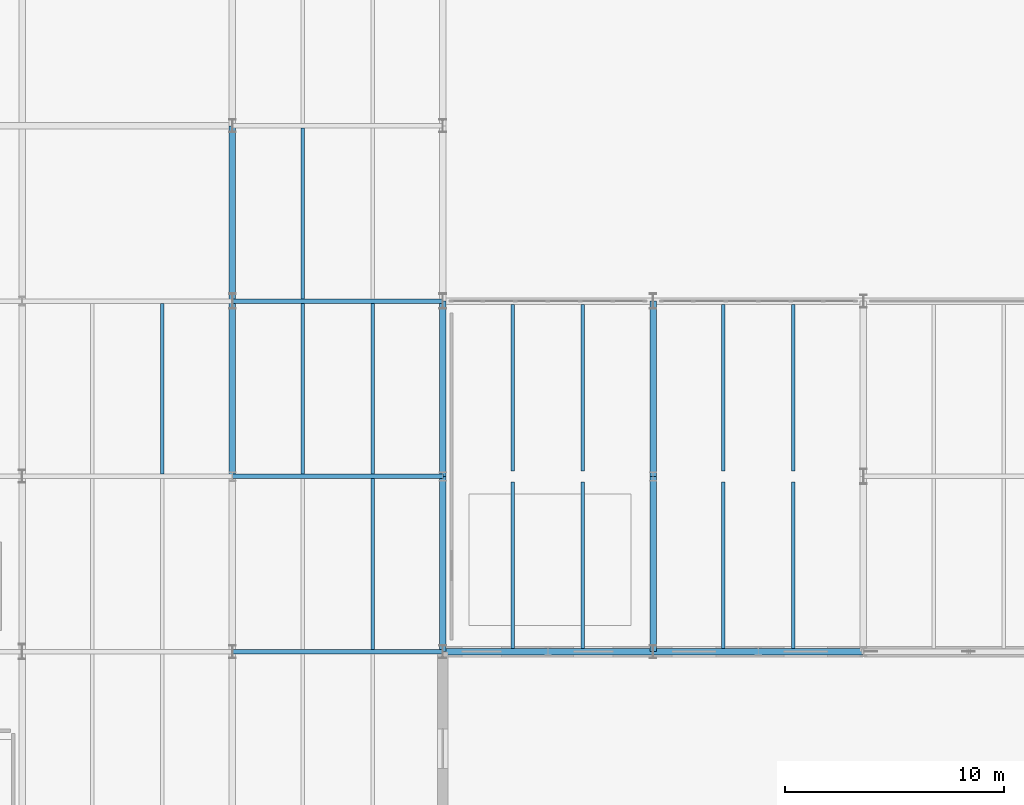
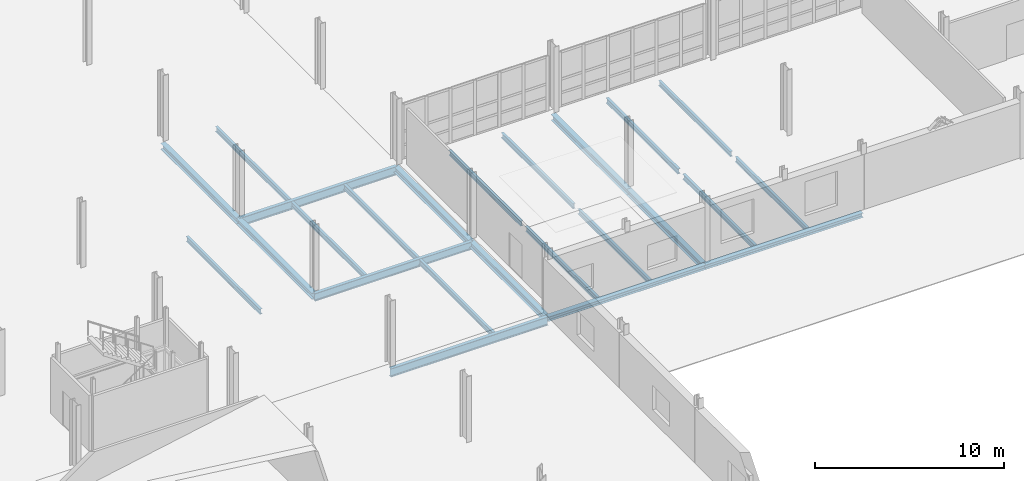
# One storey, part 32 of 78: 24 beams.
"""IFC4 building model written with IfcOpenShell, lengths in metres."""

import ifcopenshell
import ifcopenshell.guid

model = None  # the IFC model being written
_history = None  # IfcOwnerHistory: only IFC2X3 demands one
_inside = {}  # id of a spatial element -> (the spatial element, [elements in it])
_under = {}  # id of a project, library or spatial element -> (it, [spatial elements below it])
_declared = {}  # id of a project -> (the project, [libraries it declares])
_typed = {}  # id of a type object -> (the type object, [elements of that type])
_made_of = {}  # id of a material, layer set ... -> (it, [elements and type objects made of it])


def new_model(schema):
    """Start an empty IFC model of exactly this schema.

    Asked for "IFC4X3", IfcOpenShell would pick the latest addendum, in which some entities
    have other attributes; the version numbers below select the first issue.
    IFC2X3 requires an IfcOwnerHistory on every rooted entity: one is made here for all.
    """
    global model, _history
    if schema == "IFC4X3":
        model = ifcopenshell.file(schema_version=(4, 3, 0, 0))
    else:
        model = ifcopenshell.file(schema=schema)
    _inside.clear()
    _under.clear()
    _declared.clear()
    _typed.clear()
    _made_of.clear()
    _history = None
    if model.schema == "IFC2X3":
        org = make("IfcOrganization", Name="unknown")
        user = make(
            "IfcPersonAndOrganization",
            ThePerson=make("IfcPerson", FamilyName="unknown"),
            TheOrganization=org,
        )
        app = make(
            "IfcApplication",
            ApplicationDeveloper=org,
            Version="unknown",
            ApplicationFullName="unknown",
            ApplicationIdentifier="unknown",
        )
        _history = make(
            "IfcOwnerHistory",
            OwningUser=user,
            OwningApplication=app,
            ChangeAction="ADDED",
            CreationDate=0,
        )
    return model


def make(cls, **values):
    """One entity of the class cls with the attributes given. An attribute that is None is left unset."""
    return model.create_entity(
        cls, **{name: value for name, value in values.items() if value is not None}
    )


def rooted(cls, **values):
    """An entity with a GlobalId (a new one), such as an element, a storey or a relation."""
    return make(cls, GlobalId=ifcopenshell.guid.new(), OwnerHistory=_history, **values)


def si_unit(unit_type, name, prefix=None):
    """IfcSIUnit, for example si_unit("LENGTHUNIT", "METRE", prefix="MILLI")."""
    return make("IfcSIUnit", UnitType=unit_type, Prefix=prefix, Name=name)


def assignment(units):
    """IfcUnitAssignment: the units of a project."""
    return None if units is None else make("IfcUnitAssignment", Units=units)


def point(xyz):
    """IfcCartesianPoint."""
    return None if xyz is None else make("IfcCartesianPoint", Coordinates=xyz)


def direction(xyz):
    """IfcDirection."""
    return None if xyz is None else make("IfcDirection", DirectionRatios=xyz)


def frame(location, z_axis=None, x_axis=None):
    """IfcAxis2Placement3D, a coordinate frame: its origin and axes. An axis left out is left unset."""
    return make(
        "IfcAxis2Placement3D",
        Location=point(location),
        Axis=direction(z_axis),
        RefDirection=direction(x_axis),
    )


def frame_2d(location, x_axis=None):
    """IfcAxis2Placement2D, a coordinate frame in the plane: its origin and x axis."""
    return make(
        "IfcAxis2Placement2D", Location=point(location), RefDirection=direction(x_axis)
    )


def origin():
    """The frame at (0, 0, 0) with its axes left unset."""
    return frame((0.0, 0.0, 0.0))


def origin_2d():
    """The frame at (0, 0) in the plane with its x axis left unset."""
    return frame_2d((0.0, 0.0))


def place(relative_to, where):
    """IfcLocalPlacement: puts the frame where relative to a parent placement (None: the world)."""
    return make(
        "IfcLocalPlacement", PlacementRelTo=relative_to, RelativePlacement=where
    )


def context(
    kind, dimensions, precision=None, world=None, true_north=None, identifier=None
):
    """IfcGeometricRepresentationContext, for example the 3D "Model" context."""
    return make(
        "IfcGeometricRepresentationContext",
        ContextIdentifier=identifier,
        ContextType=kind,
        CoordinateSpaceDimension=dimensions,
        Precision=precision,
        WorldCoordinateSystem=world,
        TrueNorth=true_north,
    )


def subcontext(parent, identifier, kind, view, scale=None):
    """IfcGeometricRepresentationSubContext, for example "Body" below "Model"."""
    return make(
        "IfcGeometricRepresentationSubContext",
        ContextIdentifier=identifier,
        ContextType=kind,
        ParentContext=parent,
        TargetScale=scale,
        TargetView=view,
    )


def project(units=None, contexts=None):
    """IfcProject with its units and contexts."""
    return rooted(
        "IfcProject",
        Name="project",
        RepresentationContexts=contexts,
        UnitsInContext=assignment(units),
    )


def spatial(cls, under=None, at=None, **own):
    """A site, building, storey or space (cls), placed at a placement, below another one or the project."""
    s = rooted(cls, ObjectPlacement=at, **own)
    if under is not None:
        _under.setdefault(under.id(), (under, []))[1].append(s)
    return s


def profile(cls, at=None, kind="AREA", **sizes):
    """A parametric profile (cls). Its sizes go by their IFC names, for example OverallWidth=200.0."""
    return make(cls, ProfileType=kind, Position=at, **sizes)


def i_section(**sizes):
    """IfcIShapeProfileDef."""
    return profile("IfcIShapeProfileDef", **sizes)


def extrude(swept, where, along, depth):
    """IfcExtrudedAreaSolid: the profile swept, set in the frame where, extruded along a direction by depth."""
    return make(
        "IfcExtrudedAreaSolid",
        SweptArea=swept,
        Position=where,
        ExtrudedDirection=direction(along),
        Depth=depth,
    )


def shape(context_of_items, identifier, shape_type, items):
    """IfcShapeRepresentation: the items that make up one representation, for example the "Body"."""
    return make(
        "IfcShapeRepresentation",
        ContextOfItems=context_of_items,
        RepresentationIdentifier=identifier,
        RepresentationType=shape_type,
        Items=items,
    )


def material(Name=None, Category=None):
    """IfcMaterial."""
    return make("IfcMaterial", Name=Name, Category=Category)


def material_profile(
    of_material, cross_section, Name=None, Category=None, Priority=None
):
    """IfcMaterialProfile: a cross section and its material."""
    return make(
        "IfcMaterialProfile",
        Name=Name,
        Material=of_material,
        Profile=cross_section,
        Priority=Priority,
        Category=Category,
    )


def profile_set(profiles, Name=None, composite=None):
    """IfcMaterialProfileSet."""
    return make(
        "IfcMaterialProfileSet",
        Name=Name,
        MaterialProfiles=profiles,
        CompositeProfile=composite,
    )


def made_of(thing, what):
    """Note that an element or type object is made of a material, layer set ...; save() writes the relation."""
    if what is not None:
        _made_of.setdefault(what.id(), (what, []))[1].append(thing)
    return thing


def type_object(cls, material=None, **own):
    """A type object (cls), such as IfcWallType, which elements share."""
    return made_of(rooted(cls, **own), material)


def element(
    cls,
    number,
    at=None,
    inside=None,
    cuts=None,
    type_object=None,
    material=None,
    context=None,
    identifier="Body",
    shape_type=None,
    held_by="IfcProductDefinitionShape",
    body=None,
    shapes=None,
    **own,
):
    """One element of the class cls, such as IfcWall. Its Tag is "e" and its number.

    at: its placement. inside: the storey or other place that contains it. cuts: it is an
    opening in that element (IfcRelVoidsElement). A single representation is given by context,
    identifier, shape_type and body (its items); several are given by shapes. held_by: the class
    of the entity that holds the representations. save() writes the other relations.
    """
    e = rooted(cls, Tag="e%d" % number, ObjectPlacement=at, **own)
    if body is not None:
        shapes = [shape(context, identifier, shape_type, body)]
    if shapes is not None:
        e.Representation = make(held_by, Representations=shapes)
    if inside is not None:
        _inside.setdefault(inside.id(), (inside, []))[1].append(e)
    if cuts is not None:
        rooted(
            "IfcRelVoidsElement", RelatingBuildingElement=cuts, RelatedOpeningElement=e
        )
    if type_object is not None:
        _typed.setdefault(type_object.id(), (type_object, []))[1].append(e)
    return made_of(e, material)


def aggregate(whole, parts):
    """IfcRelAggregates: a whole, such as a stair, and the parts it consists of."""
    return rooted("IfcRelAggregates", RelatingObject=whole, RelatedObjects=parts)


def save(model, path):
    """Write the relations noted so far, then the file.

    IfcRelAggregates (storeys below a building ...), IfcRelContainedInSpatialStructure (elements
    in a storey), IfcRelDefinesByType, IfcRelAssociatesMaterial and IfcRelDeclares: one each for
    every whole, place, type object, material and project.
    """
    for whole, parts in _under.values():
        aggregate(whole, parts)
    for where, things in _inside.values():
        rooted(
            "IfcRelContainedInSpatialStructure",
            RelatedElements=things,
            RelatingStructure=where,
        )
    for kind, things in _typed.values():
        rooted("IfcRelDefinesByType", RelatedObjects=things, RelatingType=kind)
    for what, things in _made_of.values():
        rooted("IfcRelAssociatesMaterial", RelatedObjects=things, RelatingMaterial=what)
    for by, libraries in _declared.values():
        rooted("IfcRelDeclares", RelatingContext=by, RelatedDefinitions=libraries)
    model.write(path)


model = new_model("IFC4")

# Units and contexts
model_context = context("Model", 3, precision=1e-05, world=origin(), true_north=direction((0.0, 1.0)))
body_context = subcontext(model_context, "Body", "Model", "MODEL_VIEW")
ifc_project = project(units=[si_unit("LENGTHUNIT", "METRE"), si_unit("AREAUNIT", "SQUARE_METRE"), si_unit("VOLUMEUNIT", "CUBIC_METRE"), si_unit("PLANEANGLEUNIT", "RADIAN"), si_unit("MASSUNIT", "GRAM", prefix="KILO")], contexts=[model_context])

# Site, building, storey
site_placement = place(None, origin())
site = spatial("IfcSite", under=ifc_project, at=site_placement, CompositionType="ELEMENT")
building_placement = place(site_placement, origin())
building = spatial("IfcBuilding", under=site, at=building_placement, Name="Alderhovde Museum", CompositionType="ELEMENT")
storey_placement = place(building_placement, origin())
storey = spatial("IfcBuildingStorey", under=building, at=storey_placement, Name="L00", CompositionType="ELEMENT", Elevation=0.0)

# Beams
ifc_material_1 = material(Name="Steel S355J2", Category="steel")
ifc_material_profile_1 = material_profile(ifc_material_1, i_section(OverallWidth=0.300048828125, OverallDepth=0.389892578125, WebThickness=0.010986328125, FlangeThickness=0.01904296875, FilletRadius=0.027099609375, at=origin_2d()), Name="HEA 400")
ifc_profile_set_1 = profile_set([ifc_material_profile_1], Name="Steel S355J2")
beam_type_1 = type_object("IfcBeamType", Name="BM-HEA400", PredefinedType="BEAM", material=ifc_profile_set_1)
for number, where, z_axis, x_axis, name in (
    (1, (105.60009765625, 40.0, -0.47509765625), (0.0, 1.0, 0.0), (-1.0, 0.0, 0.0), "L00 Grid Beam X=105.6 (40.0 TO 48.0)"),
    (2, (105.60009765625, 48.0, -0.47509765625), (0.0, 1.0, 0.0), (-1.0, 0.0, 0.0), "L00 Grid Beam X=105.6 (48.0 TO 56.0)"),
    (3, (115.199951171875, 32.0, -0.47509765625), (0.0, 1.0, 0.0), (-1.0, 0.0, 0.0), "L00 Grid Beam X=115.2 (32.0 TO 40.0)"),
    (4, (115.199951171875, 40.0, -0.47509765625), (0.0, 1.0, 0.0), (-1.0, 0.0, 0.0), "L00 Grid Beam X=115.2 (40.0 TO 48.0)"),
    (5, (124.800048828125, 32.0, -0.47509765625), (0.0, 1.0, 0.0), (-1.0, 0.0, 0.0), "L00 Grid Beam X=124.8 (32.0 TO 40.0)"),
    (6, (124.800048828125, 40.0, -0.47509765625), (0.0, 1.0, 0.0), (-1.0, 0.0, 0.0), "L00 Grid Beam X=124.8 (40.0 TO 48.0)"),
):
    element("IfcBeam", number, at=place(storey_placement, frame(where, z_axis=z_axis, x_axis=x_axis)), inside=storey, type_object=beam_type_1, Name=name, PredefinedType="BEAM", context=body_context, shape_type="SweptSolid", body=[
        extrude(i_section(OverallWidth=0.300048828125, OverallDepth=0.389892578125, WebThickness=0.010986328125, FlangeThickness=0.01904296875, FilletRadius=0.027099609375, at=origin_2d()), origin(), (0.0, 0.0, 1.0), 8.0),
    ])
ifc_material_2 = material(Name="Steel S355J2", Category="steel")
ifc_material_profile_2 = material_profile(ifc_material_2, i_section(OverallWidth=0.199951171875, OverallDepth=0.5, WebThickness=0.01025390625, FlangeThickness=0.01611328125, FilletRadius=0.02099609375, at=origin_2d()), Name="IPE 500")
ifc_profile_set_2 = profile_set([ifc_material_profile_2], Name="Steel S355J2")
beam_type_2 = type_object("IfcBeamType", Name="BM-IPE500", PredefinedType="BEAM", material=ifc_profile_set_2)
beam_1_placement = place(storey_placement, frame((105.60009765625, 40.0, -0.530029296875), z_axis=(1.0, 0.0, 0.0), x_axis=(0.0, 1.0, 0.0)))
element("IfcBeam", 7, at=beam_1_placement, inside=storey, type_object=beam_type_2, Name="L00 Grid Beam Y=40.0 (105.6 TO 115.2)", PredefinedType="BEAM", context=body_context, shape_type="SweptSolid", body=[
    extrude(i_section(OverallWidth=0.199951171875, OverallDepth=0.5, WebThickness=0.01025390625, FlangeThickness=0.01611328125, FilletRadius=0.02099609375, at=origin_2d()), origin(), (0.0, 0.0, 1.0), 9.599853515625),
])
ifc_material_3 = material(Name="Steel S355J2", Category="steel")
ifc_material_profile_3 = material_profile(ifc_material_3, i_section(OverallWidth=0.2099609375, OverallDepth=0.550048828125, WebThickness=0.010986328125, FlangeThickness=0.01708984375, FilletRadius=0.02392578125, at=origin_2d()), Name="IPE 550")
ifc_profile_set_3 = profile_set([ifc_material_profile_3], Name="Steel S355J2")
beam_type_3 = type_object("IfcBeamType", Name="BM-IPE550", PredefinedType="BEAM", material=ifc_profile_set_3)
for number, where, z_axis, x_axis, name in (
    (8, (105.60009765625, 32.0, -0.554931640625), (1.0, 0.0, 0.0), (0.0, 1.0, 0.0), "L00 Grid Beam Y=32.0 (105.6 TO 115.2)"),
    (9, (105.60009765625, 48.0, -0.554931640625), (1.0, 0.0, 0.0), (0.0, 1.0, 0.0), "L00 Grid Beam Y=48.0 (105.6 TO 115.2)"),
):
    element("IfcBeam", number, at=place(storey_placement, frame(where, z_axis=z_axis, x_axis=x_axis)), inside=storey, type_object=beam_type_3, Name=name, PredefinedType="BEAM", context=body_context, shape_type="SweptSolid", body=[
        extrude(i_section(OverallWidth=0.2099609375, OverallDepth=0.550048828125, WebThickness=0.010986328125, FlangeThickness=0.01708984375, FilletRadius=0.02392578125, at=origin_2d()), origin(), (0.0, 0.0, 1.0), 9.599853515625),
    ])
ifc_material_4 = material(Name="Steel S355J2", Category="steel")
ifc_material_profile_4 = material_profile(ifc_material_4, i_section(OverallWidth=0.159912109375, OverallDepth=0.330078125, WebThickness=0.007568359375, FlangeThickness=0.011474609375, FilletRadius=0.01806640625, at=origin_2d()), Name="IPE 330")
ifc_profile_set_4 = profile_set([ifc_material_profile_4], Name="Steel S355J2")
beam_type_4 = type_object("IfcBeamType", Name="JST-IPE330", PredefinedType="JOIST", material=ifc_profile_set_4)
for number, where, z_axis, x_axis, name in (
    (10, (102.39990234375, 40.10009765625, -0.445068359375), (0.0, 1.0, 0.0), (-1.0, 0.0, 0.0), "L00 Composite Joist X=102.4 (40.0 TO 48.0)"),
    (11, (112.0, 32.10498046875, -0.445068359375), (0.0, 1.0, 0.0), (-1.0, 0.0, 0.0), "L00 Composite Joist X=112.0 (32.0 TO 40.0)"),
    (12, (108.800048828125, 40.10009765625, -0.445068359375), (0.0, 1.0, 0.0), (-1.0, 0.0, 0.0), "L00 Composite Joist X=108.8 (40.0 TO 48.0)"),
    (13, (112.0, 40.10009765625, -0.445068359375), (0.0, 1.0, 0.0), (-1.0, 0.0, 0.0), "L00 Composite Joist X=112.0 (40.0 TO 48.0)"),
    (14, (108.800048828125, 48.10498046875, -0.445068359375), (0.0, 1.0, 0.0), (-1.0, 0.0, 0.0), "L00 Composite Joist X=108.8 (48.0 TO 56.0)"),
):
    element("IfcBeam", number, at=place(storey_placement, frame(where, z_axis=z_axis, x_axis=x_axis)), inside=storey, type_object=beam_type_4, Name=name, PredefinedType="JOIST", context=body_context, shape_type="SweptSolid", body=[
        extrude(i_section(OverallWidth=0.159912109375, OverallDepth=0.330078125, WebThickness=0.007568359375, FlangeThickness=0.011474609375, FilletRadius=0.01806640625, at=origin_2d()), origin(), (0.0, 0.0, 1.0), 7.794921875),
    ])
for number, where, z_axis, x_axis, name in (
    (15, (118.39990234375, 32.14990234375, -0.445068359375), (0.0, 1.0, 0.0), (-1.0, 0.0, 0.0), "L00 Composite Joist X=118.4 (32.0 TO 40.0)"),
    (16, (121.60009765625, 32.14990234375, -0.445068359375), (0.0, 1.0, 0.0), (-1.0, 0.0, 0.0), "L00 Composite Joist X=121.6 (32.0 TO 40.0)"),
    (17, (118.39990234375, 40.25, -0.445068359375), (0.0, 1.0, 0.0), (-1.0, 0.0, 0.0), "L00 Composite Joist X=118.4 (40.0 TO 48.0)"),
    (18, (121.60009765625, 40.25, -0.445068359375), (0.0, 1.0, 0.0), (-1.0, 0.0, 0.0), "L00 Composite Joist X=121.6 (40.0 TO 48.0)"),
    (19, (128.0, 32.14990234375, -0.445068359375), (0.0, 1.0, 0.0), (-1.0, 0.0, 0.0), "L00 Composite Joist X=128.0 (32.0 TO 40.0)"),
    (20, (131.199951171875, 32.14990234375, -0.445068359375), (0.0, 1.0, 0.0), (-1.0, 0.0, 0.0), "L00 Composite Joist X=131.2 (32.0 TO 40.0)"),
    (21, (128.0, 40.25, -0.445068359375), (0.0, 1.0, 0.0), (-1.0, 0.0, 0.0), "L00 Composite Joist X=128.0 (40.0 TO 48.0)"),
    (22, (131.199951171875, 40.25, -0.445068359375), (0.0, 1.0, 0.0), (-1.0, 0.0, 0.0), "L00 Composite Joist X=131.2 (40.0 TO 48.0)"),
):
    element("IfcBeam", number, at=place(storey_placement, frame(where, z_axis=z_axis, x_axis=x_axis)), inside=storey, type_object=beam_type_4, Name=name, PredefinedType="JOIST", context=body_context, shape_type="SweptSolid", body=[
        extrude(i_section(OverallWidth=0.159912109375, OverallDepth=0.330078125, WebThickness=0.007568359375, FlangeThickness=0.011474609375, FilletRadius=0.01806640625, at=origin_2d()), origin(), (0.0, 0.0, 1.0), 7.60009765625),
    ])
ifc_material_5 = material(Name="Steel S355J2", Category="steel")
ifc_material_profile_5 = material_profile(ifc_material_5, i_section(OverallWidth=0.300048828125, OverallDepth=0.2900390625, WebThickness=0.008544921875, FlangeThickness=0.013916015625, FilletRadius=0.027099609375, at=origin_2d()), Name="HEA 300")
ifc_profile_set_5 = profile_set([ifc_material_profile_5], Name="Steel S355J2")
beam_type_5 = type_object("IfcBeamType", Name="SPD-HEA300", PredefinedType="SPANDREL", material=ifc_profile_set_5)
beam_2_placement = place(storey_placement, frame((115.199951171875, 32.0, -0.425048828125), z_axis=(1.0, 0.0, 0.0), x_axis=(0.0, 1.0, 0.0)))
element("IfcBeam", 23, at=beam_2_placement, inside=storey, type_object=beam_type_5, Name="L00 Grid Beam Y=32.0 (115.2 TO 124.8)", PredefinedType="SPANDREL", context=body_context, shape_type="SweptSolid", body=[
    extrude(i_section(OverallWidth=0.300048828125, OverallDepth=0.2900390625, WebThickness=0.008544921875, FlangeThickness=0.013916015625, FilletRadius=0.027099609375, at=origin_2d()), origin(), (0.0, 0.0, 1.0), 9.60009765625),
])
beam_3_placement = place(storey_placement, frame((124.800048828125, 32.0, -0.425048828125), z_axis=(1.0, 0.0, 0.0), x_axis=(0.0, 1.0, 0.0)))
element("IfcBeam", 24, at=beam_3_placement, inside=storey, type_object=beam_type_5, Name="L00 Grid Beam Y=32.0 (124.8 TO 134.4)", PredefinedType="SPANDREL", context=body_context, shape_type="SweptSolid", body=[
    extrude(i_section(OverallWidth=0.300048828125, OverallDepth=0.2900390625, WebThickness=0.008544921875, FlangeThickness=0.013916015625, FilletRadius=0.027099609375, at=origin_2d()), origin(), (0.0, 0.0, 1.0), 9.599853515625),
])

save(model, "model.ifc")
